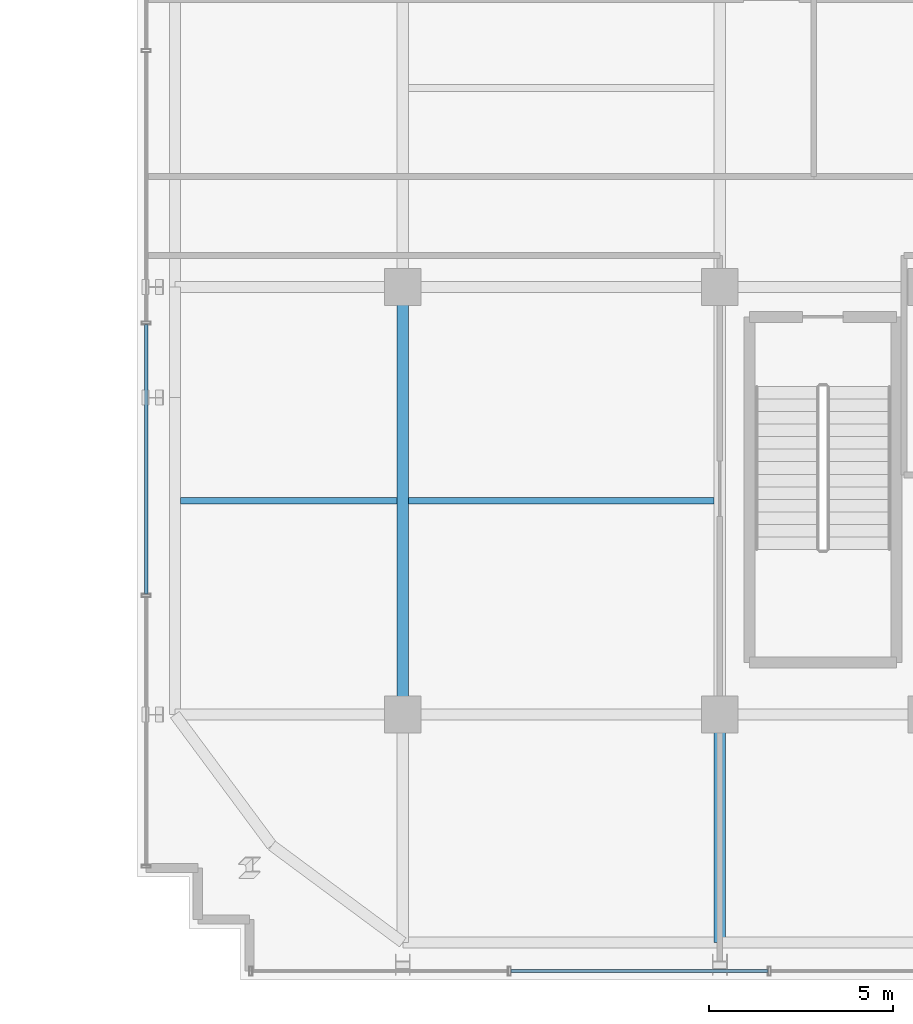
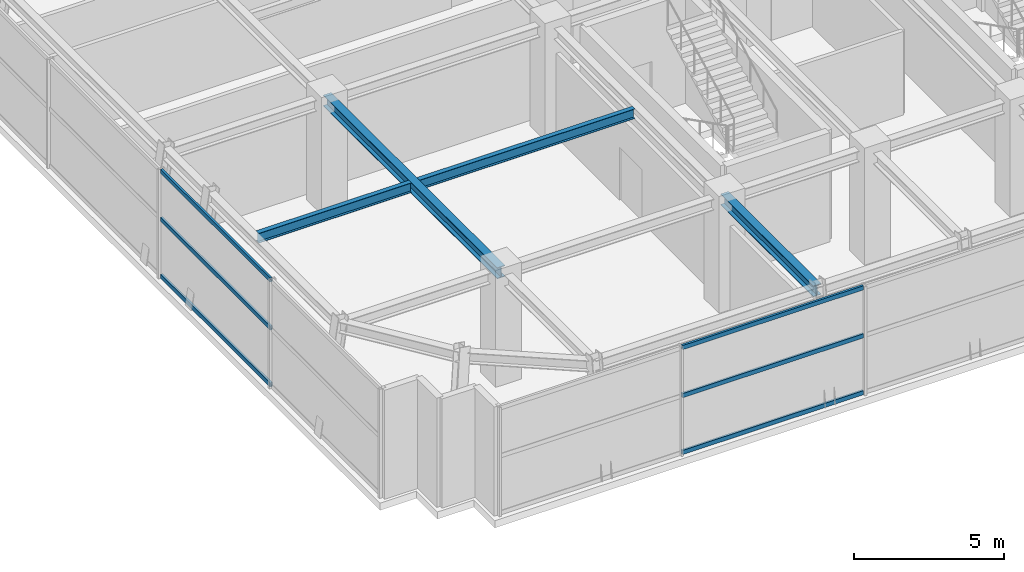
# One storey, part 3 of 28: 6 members, 4 beams, 2 elements without a shape of their own.
"""IFC4 building model written with IfcOpenShell, lengths in metres."""

from ifc_helpers import new_model, si_unit, direction, frame, origin, origin_2d, place, context, subcontext, project, spatial, hollow_rectangle, i_section, extrude, source, transform, mapped, material, material_profile, profile_set, type_object, element, aggregate, save


model = new_model("IFC4")

# Units and contexts
model_context = context("Model", 3, precision=1e-05, world=origin(), true_north=direction((0.0, 1.0)))
body_context = subcontext(model_context, "Body", "Model", "MODEL_VIEW")
ifc_project = project(units=[si_unit("LENGTHUNIT", "METRE"), si_unit("AREAUNIT", "SQUARE_METRE"), si_unit("VOLUMEUNIT", "CUBIC_METRE"), si_unit("PLANEANGLEUNIT", "RADIAN"), si_unit("MASSUNIT", "GRAM", prefix="KILO")], contexts=[model_context])

# Site, building, storey
site_placement = place(None, origin())
site = spatial("IfcSite", under=ifc_project, at=site_placement, CompositionType="ELEMENT")
building_placement = place(site_placement, origin())
building = spatial("IfcBuilding", under=site, at=building_placement, Name="Nahalor Promenade Grand Hotel", CompositionType="ELEMENT")
storey_placement = place(building_placement, frame((0.0, 0.0, 256.699951171875)))
storey = spatial("IfcBuildingStorey", under=building, at=storey_placement, Name="L66", CompositionType="ELEMENT", Elevation=256.699951171875)

# Beams
ifc_material_1 = material(Name="Steel S355JR", Category="steel")
ifc_material_profile_1 = material_profile(ifc_material_1, i_section(OverallWidth=0.3, OverallDepth=0.45, WebThickness=0.014, FlangeThickness=0.026, at=origin_2d()), Name="HEB 450")
ifc_profile_set_1 = profile_set([ifc_material_profile_1], Name="Steel S355JR")
beam_type_1 = type_object("IfcBeamType", Name="Beam-Girder-HEB450", PredefinedType="BEAM", material=ifc_profile_set_1)
shared_shape_1 = source(origin(), body_context, "Body", "SweptSolid", [
    extrude(i_section(OverallWidth=0.3, OverallDepth=0.45, WebThickness=0.014, FlangeThickness=0.026, at=origin_2d()), origin(), (0.0, 0.0, 1.0), 11.60009765625),
])
beam_1_placement = place(storey_placement, frame((-17.0, -17.0, 4.215087890625), z_axis=(0.0, 1.0, 0.0), x_axis=(-1.0, 0.0, 0.0)))
element("IfcBeam", 1, at=beam_1_placement, inside=storey, type_object=beam_type_1, Name="BM-L66-GY-0-1", PredefinedType="BEAM", context=body_context, shape_type="MappedRepresentation", body=[
    mapped(shared_shape_1, transform((0.0, 0.0, 0.0), scale=1.0)),
])
ifc_material_profile_2 = material_profile(ifc_material_1, i_section(OverallWidth=0.18, OverallDepth=0.4, WebThickness=0.0086, FlangeThickness=0.0135, at=origin_2d()), Name="IPE 400")
ifc_profile_set_2 = profile_set([ifc_material_profile_2], Name="Steel S355JR")
beam_type_2 = type_object("IfcBeamType", Name="Beam-Joist-IPE400", PredefinedType="JOIST", material=ifc_profile_set_2)
shared_shape_2 = source(origin(), body_context, "Body", "SweptSolid", [
    extrude(i_section(OverallWidth=0.18, OverallDepth=0.4, WebThickness=0.0086, FlangeThickness=0.0135, at=origin_2d()), origin(), (0.0, 0.0, 1.0), 8.300048828125),
])
beam_2_placement = place(storey_placement, frame((-16.85009765625, -11.199951171875, 4.239990234375), z_axis=(1.0, 0.0, 0.0), x_axis=(0.0, 1.0, 0.0)))
element("IfcBeam", 2, at=beam_2_placement, inside=storey, type_object=beam_type_2, Name="BM-L66-JSW-0-1", PredefinedType="JOIST", context=body_context, shape_type="MappedRepresentation", body=[
    mapped(shared_shape_2, transform((0.0, 0.0, 0.0), scale=1.0)),
])
shared_shape_3 = source(origin(), body_context, "Body", "SweptSolid", [
    extrude(i_section(OverallWidth=0.3, OverallDepth=0.45, WebThickness=0.014, FlangeThickness=0.026, at=origin_2d()), origin(), (0.0, 0.0, 1.0), 6.179931640625),
])
beam_3_placement = place(storey_placement, frame((-8.39990234375, -23.179931640625, 4.215087890625), z_axis=(0.0, 1.0, 0.0), x_axis=(-1.0, 0.0, 0.0)))
element("IfcBeam", 3, at=beam_3_placement, inside=storey, type_object=beam_type_1, Name="BM-L66-GY-1-0", PredefinedType="BEAM", context=body_context, shape_type="MappedRepresentation", body=[
    mapped(shared_shape_3, transform((0.0, 0.0, 0.0), scale=1.0)),
])
shared_shape_4 = source(origin(), body_context, "Body", "SweptSolid", [
    extrude(i_section(OverallWidth=0.18, OverallDepth=0.4, WebThickness=0.0086, FlangeThickness=0.0135, at=origin_2d()), origin(), (0.0, 0.0, 1.0), 5.880126953125),
])
beam_4_placement = place(storey_placement, frame((-23.030029296875, -11.199951171875, 4.239990234375), z_axis=(1.0, 0.0, 0.0), x_axis=(0.0, 1.0, 0.0)))
element("IfcBeam", 4, at=beam_4_placement, inside=storey, type_object=beam_type_2, Name="BM-L66-JSW-0-0", PredefinedType="JOIST", context=body_context, shape_type="MappedRepresentation", body=[
    mapped(shared_shape_4, transform((0.0, 0.0, 0.0), scale=1.0)),
])

# Curtain wall, members
ifc_material_2 = material(Name="Anodised Bronze Aluminium EN AW-6063 T6", Category="aluminium")
curtain_wall_type = type_object("IfcCurtainWallType", Name="CW5 Sky-Lobby & Observation Panoramic Curtain Wall", PredefinedType="USERDEFINED", material=ifc_material_2)
curtain_wall_1_placement = place(storey_placement, origin())
curtain_wall_1 = element("IfcCurtainWall", 5, at=curtain_wall_1_placement, inside=storey, type_object=curtain_wall_type, Name="L66 Curtain Wall CW-L66-S-1", ObjectType="UNITISED_CURTAIN_WALL", PredefinedType="USERDEFINED")
ifc_material_profile_3 = material_profile(ifc_material_2, hollow_rectangle(XDim=0.085, YDim=0.17, WallThickness=0.005, at=origin_2d()), Name="CWT 85x170x5")
ifc_profile_set_3 = profile_set([ifc_material_profile_3], Name="Anodised Bronze Aluminium EN AW-6063 T6")
member_type = type_object("IfcMemberType", Name="CWT5 Panoramic Transom 85x170", PredefinedType="USERDEFINED", material=ifc_profile_set_3)
shared_shape_5 = source(origin(), body_context, "Body", "SweptSolid", [
    extrude(hollow_rectangle(XDim=0.085, YDim=0.17, WallThickness=0.005, at=origin_2d()), origin(), (0.0, 0.0, 1.0), 6.96826171875),
])
member_1_placement = place(storey_placement, frame((-14.064208984375, -23.9599609375, 0.0849609375), z_axis=(1.0, 0.0, 0.0), x_axis=(0.0, 1.0, 0.0)))
member_1 = element("IfcMember", 6, at=member_1_placement, type_object=member_type, Name="CW-L66-S-1 Transom 1-0", ObjectType="TRANSOM", PredefinedType="USERDEFINED", context=body_context, shape_type="MappedRepresentation", body=[
    mapped(shared_shape_5, transform((0.0, 0.0, 0.0), scale=1.0)),
])
member_2_placement = place(storey_placement, frame((-14.064208984375, -23.9599609375, 2.400146484375), z_axis=(1.0, 0.0, 0.0), x_axis=(0.0, 1.0, 0.0)))
member_2 = element("IfcMember", 7, at=member_2_placement, type_object=member_type, Name="CW-L66-S-1 Transom 1-1", ObjectType="TRANSOM", PredefinedType="USERDEFINED", context=body_context, shape_type="MappedRepresentation", body=[
    mapped(shared_shape_5, transform((0.0, 0.0, 0.0), scale=1.0)),
])
member_3_placement = place(storey_placement, frame((-14.064208984375, -23.9599609375, 4.35498046875), z_axis=(1.0, 0.0, 0.0), x_axis=(0.0, 1.0, 0.0)))
member_3 = element("IfcMember", 8, at=member_3_placement, type_object=member_type, Name="CW-L66-S-1 Transom 1-2", ObjectType="TRANSOM", PredefinedType="USERDEFINED", context=body_context, shape_type="MappedRepresentation", body=[
    mapped(shared_shape_5, transform((0.0, 0.0, 0.0), scale=1.0)),
])
aggregate(curtain_wall_1, [member_1, member_2, member_3])

curtain_wall_2_placement = place(storey_placement, origin())
curtain_wall_2 = element("IfcCurtainWall", 9, at=curtain_wall_2_placement, inside=storey, type_object=curtain_wall_type, Name="L66 Curtain Wall CW-L66-W-1", ObjectType="UNITISED_CURTAIN_WALL", PredefinedType="USERDEFINED")
shared_shape_6 = source(origin(), body_context, "Body", "SweptSolid", [
    extrude(hollow_rectangle(XDim=0.085, YDim=0.17, WallThickness=0.005, at=origin_2d()), origin(), (0.0, 0.0, 1.0), 7.304931640625),
])
member_4_placement = place(storey_placement, frame((-23.9599609375, -13.7275390625, 0.0849609375), z_axis=(0.0, 1.0, 0.0), x_axis=(-1.0, 0.0, 0.0)))
member_4 = element("IfcMember", 10, at=member_4_placement, type_object=member_type, Name="CW-L66-W-1 Transom 1-0", ObjectType="TRANSOM", PredefinedType="USERDEFINED", context=body_context, shape_type="MappedRepresentation", body=[
    mapped(shared_shape_6, transform((0.0, 0.0, 0.0), scale=1.0)),
])
member_5_placement = place(storey_placement, frame((-23.9599609375, -13.7275390625, 2.400146484375), z_axis=(0.0, 1.0, 0.0), x_axis=(-1.0, 0.0, 0.0)))
member_5 = element("IfcMember", 11, at=member_5_placement, type_object=member_type, Name="CW-L66-W-1 Transom 1-1", ObjectType="TRANSOM", PredefinedType="USERDEFINED", context=body_context, shape_type="MappedRepresentation", body=[
    mapped(shared_shape_6, transform((0.0, 0.0, 0.0), scale=1.0)),
])
member_6_placement = place(storey_placement, frame((-23.9599609375, -13.7275390625, 4.35498046875), z_axis=(0.0, 1.0, 0.0), x_axis=(-1.0, 0.0, 0.0)))
member_6 = element("IfcMember", 12, at=member_6_placement, type_object=member_type, Name="CW-L66-W-1 Transom 1-2", ObjectType="TRANSOM", PredefinedType="USERDEFINED", context=body_context, shape_type="MappedRepresentation", body=[
    mapped(shared_shape_6, transform((0.0, 0.0, 0.0), scale=1.0)),
])
aggregate(curtain_wall_2, [member_4, member_5, member_6])

save(model, "model.ifc")
